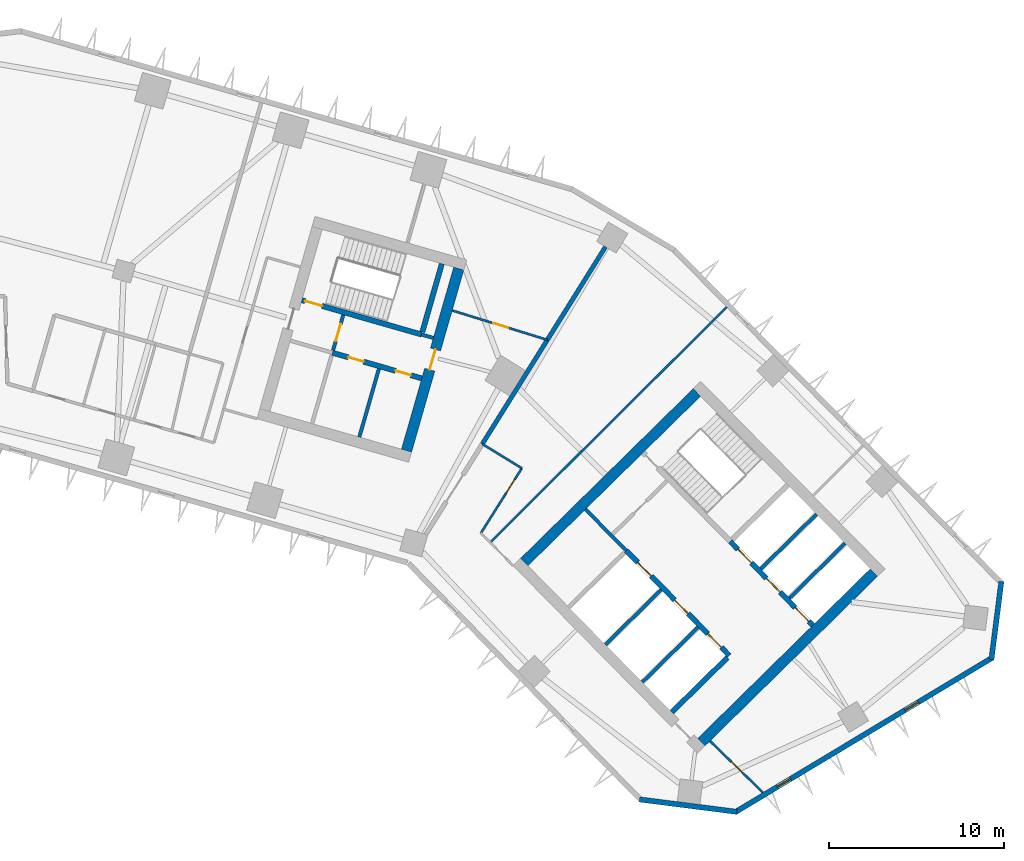
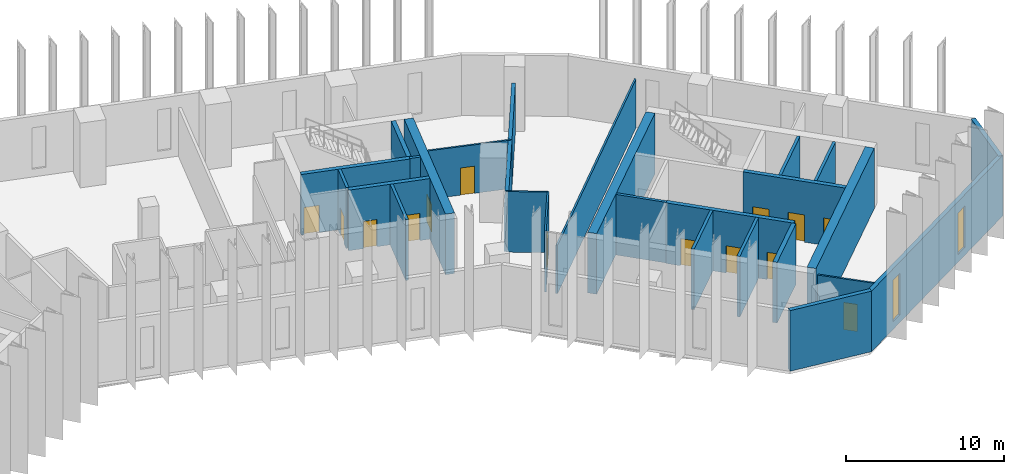
# One storey, part 6 of 11: 27 walls, 14 doors, 2 windows, 16 openings.
"""IFC4 building model written with IfcOpenShell, lengths in metres."""

from ifc_helpers import new_model, si_unit, direction, frame, frame_2d, origin, place, context, subcontext, project, spatial, rectangle, extrude, material, layer, layer_set, type_object, element, fill, save


model = new_model("IFC4")

# Units and contexts
model_context = context("Model", 3, precision=1e-05, world=origin(), true_north=direction((0.0, 1.0)))
body_context = subcontext(model_context, "Body", "Model", "MODEL_VIEW")
ifc_project = project(units=[si_unit("LENGTHUNIT", "METRE"), si_unit("AREAUNIT", "SQUARE_METRE"), si_unit("VOLUMEUNIT", "CUBIC_METRE"), si_unit("PLANEANGLEUNIT", "RADIAN"), si_unit("MASSUNIT", "GRAM", prefix="KILO")], contexts=[model_context])

# Site, building, storey
site_placement = place(None, origin())
site = spatial("IfcSite", under=ifc_project, at=site_placement, CompositionType="ELEMENT")
building_placement = place(site_placement, origin())
building = spatial("IfcBuilding", under=site, at=building_placement, Name="Binnacle Exchange Tower", CompositionType="ELEMENT")
storey_placement = place(building_placement, frame((0.0, 0.0, 66.5)))
storey = spatial("IfcBuildingStorey", under=building, at=storey_placement, Name="L13", CompositionType="ELEMENT", Elevation=66.5)

# Wall
ifc_material_1 = material(Name="Gypsum partition fire rated")
ifc_layer_1 = layer(ifc_material_1, 0.199951171875)
ifc_layer_set_1 = layer_set([ifc_layer_1], Name="Core partition 200")
wall_type_1 = type_object("IfcWallType", Name="Core partition 200", PredefinedType="PARTITIONING", material=ifc_layer_set_1)
wall_1_placement = place(storey_placement, frame((22.664794921875, 47.88330078125, 0.0), z_axis=(0.0, 0.0, 1.0), x_axis=(0.275596769212, 0.961273333033, 0.0)))
element("IfcWall", 1, at=wall_1_placement, inside=storey, type_object=wall_type_1, Name="Core wall CRWD10", PredefinedType="PARTITIONING", context=body_context, shape_type="SweptSolid", body=[
    extrude(rectangle(XDim=4.050048828125, YDim=0.199951171875, at=frame_2d((2.02490234375, 0.0))), origin(), (0.0, 0.0, 1.0), 4.679931640625),
])

# Wall, openings, doors
ifc_material_2 = material(Name="Concrete C70/85", Category="concrete")
ifc_layer_2 = layer(ifc_material_2, 0.300048828125)
ifc_layer_set_2 = layer_set([ifc_layer_2], Name="Core wall - front 300")
wall_type_2 = type_object("IfcWallType", Name="Core wall - front 300", PredefinedType="SOLIDWALL", material=ifc_layer_set_2)
wall_2_placement = place(storey_placement, frame((37.8740234375, 41.41552734375, 0.0), z_axis=(0.0, 0.0, 1.0), x_axis=(0.700918271237, -0.71324159795, 0.0)))
wall_2 = element("IfcWall", 2, at=wall_2_placement, inside=storey, type_object=wall_type_2, Name="Core wall CRWB3", PredefinedType="SOLIDWALL", context=body_context, shape_type="SweptSolid", body=[
    extrude(rectangle(XDim=8.39990234375, YDim=0.300048828125, at=frame_2d((4.199951171875, 0.0))), origin(), (0.0, 0.0, 1.0), 4.679931640625),
])
opening_1_placement = place(wall_2_placement, frame((0.949951171875, 0.0, 0.0)))
opening_1 = element("IfcOpeningElement", 3, at=opening_1_placement, cuts=wall_2, Name="Opening LD15", PredefinedType="OPENING", context=body_context, shape_type="SweptSolid", body=[
    extrude(rectangle(XDim=1.10009765625, YDim=2.10009765625, at=frame_2d((0.550048828125, 1.050048828125))), frame((0.0, 0.159912109375, 0.0), z_axis=(0.0, -1.0, 0.0), x_axis=(1.0, 0.0, 0.0)), (0.0, 0.0, 1.0), 0.320068359375),
])
opening_2_placement = place(wall_2_placement, frame((3.949951171875, 0.0, 0.0)))
opening_2 = element("IfcOpeningElement", 4, at=opening_2_placement, cuts=wall_2, Name="Opening LD16", PredefinedType="OPENING", context=body_context, shape_type="SweptSolid", body=[
    extrude(rectangle(XDim=1.10009765625, YDim=2.10009765625, at=frame_2d((0.550048828125, 1.050048828125))), frame((0.0, 0.159912109375, 0.0), z_axis=(0.0, -1.0, 0.0), x_axis=(1.0, 0.0, 0.0)), (0.0, 0.0, 1.0), 0.320068359375),
])
opening_3_placement = place(wall_2_placement, frame((6.64990234375, 0.0, 0.0)))
opening_3 = element("IfcOpeningElement", 5, at=opening_3_placement, cuts=wall_2, Name="Opening LD4", PredefinedType="OPENING", context=body_context, shape_type="SweptSolid", body=[
    extrude(rectangle(XDim=1.10009765625, YDim=2.10009765625, at=frame_2d((0.550048828125, 1.050048828125))), frame((0.0, 0.159912109375, 0.0), z_axis=(0.0, -1.0, 0.0), x_axis=(1.0, 0.0, 0.0)), (0.0, 0.0, 1.0), 0.320068359375),
])
ifc_material_3 = material(Name="Steel door leaf", Category="steel")
door_type_1 = type_object("IfcDoorType", Name="Fire door - lift landing 1100", OperationType="NOTDEFINED", PredefinedType="DOOR", material=ifc_material_3)
door_1_placement = place(opening_1_placement, origin())
door_1 = element("IfcDoor", 6, at=door_1_placement, inside=storey, type_object=door_type_1, Name="Landing door LD15 L13", OperationType="DOUBLE_DOOR_SLIDING", OverallHeight=2.10009765625, OverallWidth=1.10009765625, PredefinedType="DOOR", context=body_context, shape_type="SweptSolid", body=[
    extrude(rectangle(XDim=1.10009765625, YDim=2.10009765625, at=frame_2d((0.550048828125, 1.050048828125))), frame((0.0, 0.02490234375, 0.0), z_axis=(0.0, -1.0, 0.0), x_axis=(1.0, 0.0, 0.0)), (0.0, 0.0, 1.0), 0.050048828125),
])
fill(opening_1, door_1)
door_2_placement = place(opening_2_placement, origin())
door_2 = element("IfcDoor", 7, at=door_2_placement, inside=storey, type_object=door_type_1, Name="Landing door LD16 L13", OperationType="DOUBLE_DOOR_SLIDING", OverallHeight=2.10009765625, OverallWidth=1.10009765625, PredefinedType="DOOR", context=body_context, shape_type="SweptSolid", body=[
    extrude(rectangle(XDim=1.10009765625, YDim=2.10009765625, at=frame_2d((0.550048828125, 1.050048828125))), frame((0.0, 0.02490234375, 0.0), z_axis=(0.0, -1.0, 0.0), x_axis=(1.0, 0.0, 0.0)), (0.0, 0.0, 1.0), 0.050048828125),
])
fill(opening_2, door_2)
door_3_placement = place(opening_3_placement, origin())
door_3 = element("IfcDoor", 8, at=door_3_placement, inside=storey, type_object=door_type_1, Name="Landing door LD4 L13", OperationType="DOUBLE_DOOR_SLIDING", OverallHeight=2.10009765625, OverallWidth=1.10009765625, PredefinedType="DOOR", context=body_context, shape_type="SweptSolid", body=[
    extrude(rectangle(XDim=1.10009765625, YDim=2.10009765625, at=frame_2d((0.550048828125, 1.050048828125))), frame((0.0, 0.02490234375, 0.0), z_axis=(0.0, -1.0, 0.0), x_axis=(1.0, 0.0, 0.0)), (0.0, 0.0, 1.0), 0.050048828125),
])
fill(opening_3, door_3)

wall_3_placement = place(storey_placement, frame((43.818603515625, 41.92919921875, 0.0), z_axis=(0.0, 0.0, 1.0), x_axis=(0.700921619155, -0.713238307862, 0.0)))
wall_3 = element("IfcWall", 9, at=wall_3_placement, inside=storey, type_object=wall_type_2, Name="Core wall CRWB5", PredefinedType="SOLIDWALL", context=body_context, shape_type="SweptSolid", body=[
    extrude(rectangle(XDim=6.69970703125, YDim=0.300048828125, at=frame_2d((3.349853515625, 0.0))), origin(), (0.0, 0.0, 1.0), 4.679931640625),
])
opening_4_placement = place(wall_3_placement, frame((0.614990234375, 0.0, 0.0)))
opening_4 = element("IfcOpeningElement", 10, at=opening_4_placement, cuts=wall_3, Name="Opening LD1", PredefinedType="OPENING", context=body_context, shape_type="SweptSolid", body=[
    extrude(rectangle(XDim=1.10009765625, YDim=2.10009765625, at=frame_2d((0.550048828125, 1.050048828125))), frame((0.0, 0.159912109375, 0.0), z_axis=(0.0, -1.0, 0.0), x_axis=(1.0, 0.0, 0.0)), (0.0, 0.0, 1.0), 0.320068359375),
])
opening_5_placement = place(wall_3_placement, frame((2.945068359375, 0.0, 0.0)))
opening_5 = element("IfcOpeningElement", 11, at=opening_5_placement, cuts=wall_3, Name="Opening LD2", PredefinedType="OPENING", context=body_context, shape_type="SweptSolid", body=[
    extrude(rectangle(XDim=1.10009765625, YDim=2.10009765625, at=frame_2d((0.550048828125, 1.050048828125))), frame((0.0, 0.159912109375, 0.0), z_axis=(0.0, -1.0, 0.0), x_axis=(1.0, 0.0, 0.0)), (0.0, 0.0, 1.0), 0.320068359375),
])
opening_6_placement = place(wall_3_placement, frame((5.280029296875, 0.0, 0.0)))
opening_6 = element("IfcOpeningElement", 12, at=opening_6_placement, cuts=wall_3, Name="Opening LD3", PredefinedType="OPENING", context=body_context, shape_type="SweptSolid", body=[
    extrude(rectangle(XDim=1.10009765625, YDim=2.10009765625, at=frame_2d((0.550048828125, 1.050048828125))), frame((0.0, 0.159912109375, 0.0), z_axis=(0.0, -1.0, 0.0), x_axis=(1.0, 0.0, 0.0)), (0.0, 0.0, 1.0), 0.320068359375),
])
door_4_placement = place(opening_4_placement, origin())
door_4 = element("IfcDoor", 13, at=door_4_placement, inside=storey, type_object=door_type_1, Name="Landing door LD1 L13", OperationType="DOUBLE_DOOR_SLIDING", OverallHeight=2.10009765625, OverallWidth=1.10009765625, PredefinedType="DOOR", context=body_context, shape_type="SweptSolid", body=[
    extrude(rectangle(XDim=1.10009765625, YDim=2.10009765625, at=frame_2d((0.550048828125, 1.050048828125))), frame((0.0, 0.02490234375, 0.0), z_axis=(0.0, -1.0, 0.0), x_axis=(1.0, 0.0, 0.0)), (0.0, 0.0, 1.0), 0.050048828125),
])
fill(opening_4, door_4)
door_5_placement = place(opening_5_placement, origin())
door_5 = element("IfcDoor", 14, at=door_5_placement, inside=storey, type_object=door_type_1, Name="Landing door LD2 L13", OperationType="DOUBLE_DOOR_SLIDING", OverallHeight=2.10009765625, OverallWidth=1.10009765625, PredefinedType="DOOR", context=body_context, shape_type="SweptSolid", body=[
    extrude(rectangle(XDim=1.10009765625, YDim=2.10009765625, at=frame_2d((0.550048828125, 1.050048828125))), frame((0.0, 0.02490234375, 0.0), z_axis=(0.0, -1.0, 0.0), x_axis=(1.0, 0.0, 0.0)), (0.0, 0.0, 1.0), 0.050048828125),
])
fill(opening_5, door_5)
door_6_placement = place(opening_6_placement, origin())
door_6 = element("IfcDoor", 15, at=door_6_placement, inside=storey, type_object=door_type_1, Name="Landing door LD3 L13", OperationType="DOUBLE_DOOR_SLIDING", OverallHeight=2.10009765625, OverallWidth=1.10009765625, PredefinedType="DOOR", context=body_context, shape_type="SweptSolid", body=[
    extrude(rectangle(XDim=1.10009765625, YDim=2.10009765625, at=frame_2d((0.550048828125, 1.050048828125))), frame((0.0, 0.02490234375, 0.0), z_axis=(0.0, -1.0, 0.0), x_axis=(1.0, 0.0, 0.0)), (0.0, 0.0, 1.0), 0.050048828125),
])
fill(opening_6, door_6)

# Wall
wall_4_placement = place(storey_placement, frame((40.480712890625, 32.199951171875, 0.0), z_axis=(0.0, 0.0, 1.0), x_axis=(0.713251741427, 0.700907949271, 0.0)))
element("IfcWall", 16, at=wall_4_placement, inside=storey, type_object=wall_type_2, Name="Core wall CRWB14", PredefinedType="SOLIDWALL", context=body_context, shape_type="SweptSolid", body=[
    extrude(rectangle(XDim=4.4501953125, YDim=0.300048828125, at=frame_2d((2.22509765625, 0.0))), origin(), (0.0, 0.0, 1.0), 4.679931640625),
])

# Wall, openings, doors
wall_5_placement = place(storey_placement, frame((21.130859375, 52.6923828125, 0.0), z_axis=(0.0, 0.0, 1.0), x_axis=(0.961271492568, -0.275603188616, 0.0)))
wall_5 = element("IfcWall", 17, at=wall_5_placement, inside=storey, type_object=wall_type_2, Name="Core wall CRWD3", PredefinedType="SOLIDWALL", context=body_context, shape_type="SweptSolid", body=[
    extrude(rectangle(XDim=5.300048828125, YDim=0.300048828125, at=frame_2d((2.64990234375, 0.0))), origin(), (0.0, 0.0, 1.0), 4.679931640625),
])
opening_7_placement = place(wall_5_placement, frame((0.949951171875, 0.0, 0.0)))
opening_7 = element("IfcOpeningElement", 18, at=opening_7_placement, cuts=wall_5, Name="Opening DD10", PredefinedType="OPENING", context=body_context, shape_type="SweptSolid", body=[
    extrude(rectangle(XDim=0.89990234375, YDim=2.10009765625, at=frame_2d((0.449951171875, 1.050048828125))), frame((0.0, 0.159912109375, 0.0), z_axis=(0.0, -1.0, 0.0), x_axis=(1.0, 0.0, 0.0)), (0.0, 0.0, 1.0), 0.320068359375),
])
opening_8_placement = place(wall_5_placement, frame((3.75, 0.0, 0.0)))
opening_8 = element("IfcOpeningElement", 19, at=opening_8_placement, cuts=wall_5, Name="Opening DD11", PredefinedType="OPENING", context=body_context, shape_type="SweptSolid", body=[
    extrude(rectangle(XDim=0.89990234375, YDim=2.10009765625, at=frame_2d((0.449951171875, 1.050048828125))), frame((0.0, 0.159912109375, 0.0), z_axis=(0.0, -1.0, 0.0), x_axis=(1.0, 0.0, 0.0)), (0.0, 0.0, 1.0), 0.320068359375),
])
door_type_2 = type_object("IfcDoorType", Name="Fire door 900", OperationType="NOTDEFINED", PredefinedType="DOOR", material=ifc_material_3)
door_7_placement = place(opening_7_placement, frame((0.89990234375, 0.0, 0.0), z_axis=(0.0, 0.0, 1.0), x_axis=(-1.0, 0.0, 0.0)))
door_7 = element("IfcDoor", 20, at=door_7_placement, inside=storey, type_object=door_type_2, Name="Core room door COMMS RISER ROOM", OperationType="SINGLE_SWING_RIGHT", OverallHeight=2.10009765625, OverallWidth=0.89990234375, PredefinedType="DOOR", context=body_context, shape_type="SweptSolid", body=[
    extrude(rectangle(XDim=0.89990234375, YDim=2.10009765625, at=frame_2d((0.449951171875, 1.050048828125))), frame((0.0, 0.02490234375, 0.0), z_axis=(0.0, -1.0, 0.0), x_axis=(1.0, 0.0, 0.0)), (0.0, 0.0, 1.0), 0.050048828125),
])
fill(opening_7, door_7)
door_8_placement = place(opening_8_placement, frame((0.89990234375, 0.0, 0.0), z_axis=(0.0, 0.0, 1.0), x_axis=(-1.0, 0.0, 0.0)))
door_8 = element("IfcDoor", 21, at=door_8_placement, inside=storey, type_object=door_type_2, Name="Core room door CLEANERS STORE", OperationType="SINGLE_SWING_LEFT", OverallHeight=2.10009765625, OverallWidth=0.89990234375, PredefinedType="DOOR", context=body_context, shape_type="SweptSolid", body=[
    extrude(rectangle(XDim=0.89990234375, YDim=2.10009765625, at=frame_2d((0.449951171875, 1.050048828125))), frame((0.0, 0.02490234375, 0.0), z_axis=(0.0, -1.0, 0.0), x_axis=(1.0, 0.0, 0.0)), (0.0, 0.0, 1.0), 0.050048828125),
])
fill(opening_8, door_8)

# Walls
ifc_layer_3 = layer(ifc_material_2, 0.60009765625)
ifc_layer_set_3 = layer_set([ifc_layer_3], Name="Core wall - outer 600")
wall_type_3 = type_object("IfcWallType", Name="Core wall - outer 600", PredefinedType="SOLIDWALL", material=ifc_layer_set_3)
for number, where, z_axis, x_axis, name in (
    (22, (32.06982421875, 40.759033203125, 0.0), (0.0, 0.0, 1.0), (0.713245344712, 0.70091445858, 0.0), "Core wall CRWB7"),
    (23, (42.1630859375, 30.48828125, 0.0), (0.0, 0.0, 1.0), (0.713245344712, 0.70091445858, 0.0), "Core wall CRWB16"),
):
    element("IfcWall", number, at=place(storey_placement, frame(where, z_axis=z_axis, x_axis=x_axis)), inside=storey, type_object=wall_type_3, Name=name, PredefinedType="SOLIDWALL", context=body_context, shape_type="SweptSolid", body=[
        extrude(rectangle(XDim=13.800048828125, YDim=0.60009765625, at=frame_2d((6.89990234375, 0.0))), origin(), (0.0, 0.0, 1.0), 4.679931640625),
    ])

# Wall, opening, door
wall_6_placement = place(storey_placement, frame((25.356201171875, 47.111572265625, 0.0), z_axis=(0.0, 0.0, 1.0), x_axis=(0.275631631629, 0.961263337304, 0.0)))
wall_6 = element("IfcWall", 24, at=wall_6_placement, inside=storey, type_object=wall_type_3, Name="Core wall CRWD12", PredefinedType="SOLIDWALL", context=body_context, shape_type="SweptSolid", body=[
    extrude(rectangle(XDim=10.800048828125, YDim=0.60009765625, at=frame_2d((5.39990234375, 0.0))), origin(), (0.0, 0.0, 1.0), 4.679931640625),
])
opening_9_placement = place(wall_6_placement, frame((4.800048828125, 0.0, 0.0)))
opening_9 = element("IfcOpeningElement", 25, at=opening_9_placement, cuts=wall_6, Name="Opening DD6", PredefinedType="OPENING", context=body_context, shape_type="SweptSolid", body=[
    extrude(rectangle(XDim=1.199951171875, YDim=2.10009765625, at=frame_2d((0.60009765625, 1.050048828125))), frame((0.0, 0.31005859375, 0.0), z_axis=(0.0, -1.0, 0.0), x_axis=(1.0, 0.0, 0.0)), (0.0, 0.0, 1.0), 0.6201171875),
])
door_type_3 = type_object("IfcDoorType", Name="Fire door 1200", OperationType="NOTDEFINED", PredefinedType="DOOR", material=ifc_material_3)
door_9_placement = place(opening_9_placement, frame((1.199951171875, 0.0, 0.0), z_axis=(0.0, 0.0, 1.0), x_axis=(-1.0, 0.0, 0.0)))
door_9 = element("IfcDoor", 26, at=door_9_placement, inside=storey, type_object=door_type_3, Name="Core passage exit door", OperationType="SINGLE_SWING_LEFT", OverallHeight=2.10009765625, OverallWidth=1.199951171875, PredefinedType="DOOR", context=body_context, shape_type="SweptSolid", body=[
    extrude(rectangle(XDim=1.199951171875, YDim=2.10009765625, at=frame_2d((0.60009765625, 1.050048828125))), frame((0.0, 0.02490234375, 0.0), z_axis=(0.0, -1.0, 0.0), x_axis=(1.0, 0.0, 0.0)), (0.0, 0.0, 1.0), 0.050048828125),
])
fill(opening_9, door_9)

ifc_layer_4 = layer(ifc_material_2, 0.300048828125)
ifc_layer_set_4 = layer_set([ifc_layer_4], Name="Core wall - stair 300")
wall_type_4 = type_object("IfcWallType", Name="Core wall - stair 300", PredefinedType="SOLIDWALL", material=ifc_layer_set_4)
wall_7_placement = place(storey_placement, frame((19.38916015625, 55.688720703125, 0.0), z_axis=(0.0, 0.0, 1.0), x_axis=(0.961261397636, -0.275638396117, 0.0)))
wall_7 = element("IfcWall", 27, at=wall_7_placement, inside=storey, type_object=wall_type_4, Name="Core wall CRWD4", PredefinedType="SOLIDWALL", context=body_context, shape_type="SweptSolid", body=[
    extrude(rectangle(XDim=7.10009765625, YDim=0.300048828125, at=frame_2d((3.550048828125, 0.0))), origin(), (0.0, 0.0, 1.0), 4.679931640625),
])
opening_10_placement = place(wall_7_placement, frame((0.199951171875, 0.0, 0.0)))
opening_10 = element("IfcOpeningElement", 28, at=opening_10_placement, cuts=wall_7, Name="Opening DD1", PredefinedType="OPENING", context=body_context, shape_type="SweptSolid", body=[
    extrude(rectangle(XDim=1.0, YDim=2.10009765625, at=frame_2d((0.5, 1.050048828125))), frame((0.0, 0.159912109375, 0.0), z_axis=(0.0, -1.0, 0.0), x_axis=(1.0, 0.0, 0.0)), (0.0, 0.0, 1.0), 0.320068359375),
])
door_type_4 = type_object("IfcDoorType", Name="Fire door 1000", OperationType="NOTDEFINED", PredefinedType="DOOR", material=ifc_material_3)
door_10_placement = place(opening_10_placement, origin())
door_10 = element("IfcDoor", 29, at=door_10_placement, inside=storey, type_object=door_type_4, Name="Stair door ST-D1", OperationType="SINGLE_SWING_LEFT", OverallHeight=2.10009765625, OverallWidth=1.0, PredefinedType="DOOR", context=body_context, shape_type="SweptSolid", body=[
    extrude(rectangle(XDim=1.0, YDim=2.10009765625, at=frame_2d((0.5, 1.050048828125))), frame((0.0, 0.02490234375, 0.0), z_axis=(0.0, -1.0, 0.0), x_axis=(1.0, 0.0, 0.0)), (0.0, 0.0, 1.0), 0.050048828125),
])
fill(opening_10, door_10)

# Walls
wall_8_placement = place(storey_placement, frame((26.255615234375, 53.875732421875, 0.0), z_axis=(0.0, 0.0, 1.0), x_axis=(0.275612739511, 0.961268754209, 0.0)))
element("IfcWall", 30, at=wall_8_placement, inside=storey, type_object=wall_type_4, Name="Core wall CRWD11", PredefinedType="SOLIDWALL", context=body_context, shape_type="SweptSolid", body=[
    extrude(rectangle(XDim=4.0498046875, YDim=0.300048828125, at=frame_2d((2.02490234375, 0.0))), origin(), (0.0, 0.0, 1.0), 4.679931640625),
])
ifc_material_4 = material(Name="Bronze aluminium cladding", Category="aluminium")
ifc_layer_5 = layer(ifc_material_4, 0.300048828125)
ifc_layer_set_5 = layer_set([ifc_layer_5], Name="External wall - spandrel 300")
wall_type_5 = type_object("IfcWallType", Name="External wall - spandrel 300", PredefinedType="STANDARD", material=ifc_layer_set_5)
wall_9_placement = place(storey_placement, frame((44.19580078125, 26.517822265625, 0.0), z_axis=(0.0, 0.0, 1.0), x_axis=(-0.992001881269, 0.126223086474, 0.0)))
element("IfcWall", 31, at=wall_9_placement, inside=storey, type_object=wall_type_5, Name="External wall EW-F10 L13", PredefinedType="STANDARD", context=body_context, shape_type="SweptSolid", body=[
    extrude(rectangle(XDim=5.6015625, YDim=0.300048828125, at=frame_2d((2.80078125, 0.0))), origin(), (0.0, 0.0, 1.0), 4.679931640625),
])

# Wall, openings, windows
wall_10_placement = place(storey_placement, frame((58.7783203125, 35.317626953125, 0.0), z_axis=(0.0, 0.0, 1.0), x_axis=(-0.857168206138, -0.515036568009, 0.0)))
wall_10 = element("IfcWall", 32, at=wall_10_placement, inside=storey, type_object=wall_type_5, Name="External wall EW-F11 L13", PredefinedType="STANDARD", context=body_context, shape_type="SweptSolid", body=[
    extrude(rectangle(XDim=17.124755859375, YDim=0.300048828125, at=frame_2d((8.5625, 0.0))), origin(), (0.0, 0.0, 1.0), 4.679931640625),
])
opening_11_placement = place(wall_10_placement, frame((13.435302734375, 0.0, 0.60009765625)))
opening_11 = element("IfcOpeningElement", 33, at=opening_11_placement, cuts=wall_10, Name="Opening WS1", PredefinedType="OPENING", context=body_context, shape_type="SweptSolid", body=[
    extrude(rectangle(XDim=0.89990234375, YDim=3.199951171875, at=frame_2d((0.449951171875, 1.60009765625))), frame((0.0, 0.159912109375, 0.0), z_axis=(0.0, -1.0, 0.0), x_axis=(1.0, 0.0, 0.0)), (0.0, 0.0, 1.0), 0.320068359375),
])
opening_12_placement = place(wall_10_placement, frame((4.935302734375, 0.0, 0.60009765625)))
opening_12 = element("IfcOpeningElement", 34, at=opening_12_placement, cuts=wall_10, Name="Opening WS1", PredefinedType="OPENING", context=body_context, shape_type="SweptSolid", body=[
    extrude(rectangle(XDim=0.89990234375, YDim=3.199951171875, at=frame_2d((0.449951171875, 1.60009765625))), frame((0.0, 0.159912109375, 0.0), z_axis=(0.0, -1.0, 0.0), x_axis=(1.0, 0.0, 0.0)), (0.0, 0.0, 1.0), 0.320068359375),
])
ifc_material_5 = material(Name="Bronze anodised aluminium frame", Category="aluminium")
window_type = type_object("IfcWindowType", Name="WS1 WINDOW 900x3200", PartitioningType="SINGLE_PANEL", PredefinedType="WINDOW", material=ifc_material_5)
window_1_placement = place(opening_11_placement, origin())
window_1 = element("IfcWindow", 35, at=window_1_placement, inside=storey, type_object=window_type, Name="Window WS1 L13", OverallHeight=3.199951171875, OverallWidth=0.89990234375, PartitioningType="SINGLE_PANEL", PredefinedType="WINDOW", context=body_context, shape_type="SweptSolid", body=[
    extrude(rectangle(XDim=0.89990234375, YDim=3.199951171875, at=frame_2d((0.449951171875, 1.60009765625))), frame((0.0, 0.030029296875, 0.0), z_axis=(0.0, -1.0, 0.0), x_axis=(1.0, 0.0, 0.0)), (0.0, 0.0, 1.0), 0.06005859375),
])
fill(opening_11, window_1)
window_2_placement = place(opening_12_placement, origin())
window_2 = element("IfcWindow", 36, at=window_2_placement, inside=storey, type_object=window_type, Name="Window WS1 L13", OverallHeight=3.199951171875, OverallWidth=0.89990234375, PartitioningType="SINGLE_PANEL", PredefinedType="WINDOW", context=body_context, shape_type="SweptSolid", body=[
    extrude(rectangle(XDim=0.89990234375, YDim=3.199951171875, at=frame_2d((0.449951171875, 1.60009765625))), frame((0.0, 0.030029296875, 0.0), z_axis=(0.0, -1.0, 0.0), x_axis=(1.0, 0.0, 0.0)), (0.0, 0.0, 1.0), 0.06005859375),
])
fill(opening_12, window_2)

# Walls
wall_11_placement = place(storey_placement, frame((59.27197265625, 39.6513671875, 0.0), z_axis=(0.0, 0.0, 1.0), x_axis=(-0.126181137886, -0.992007217938, 0.0)))
element("IfcWall", 37, at=wall_11_placement, inside=storey, type_object=wall_type_5, Name="External wall EW-F12 L13", PredefinedType="STANDARD", context=body_context, shape_type="SweptSolid", body=[
    extrude(rectangle(XDim=4.479248046875, YDim=0.300048828125, at=frame_2d((2.23974609375, 0.0))), origin(), (0.0, 0.0, 1.0), 4.679931640625),
])
ifc_material_6 = material(Name="Concrete fire wall C30/37", Category="concrete")
ifc_layer_6 = layer(ifc_material_6, 0.25)
ifc_layer_set_6 = layer_set([ifc_layer_6], Name="Fire wall - compartment 250")
wall_type_6 = type_object("IfcWallType", Name="Fire wall - compartment 250", PredefinedType="PARTITIONING", material=ifc_layer_set_6)
wall_12_placement = place(storey_placement, frame((29.675048828125, 47.490966796875, 0.0), z_axis=(0.0, 0.0, 1.0), x_axis=(0.529992669945, 0.848002222759, 0.0)))
element("IfcWall", 38, at=wall_12_placement, inside=storey, type_object=wall_type_6, Name="Fire Wall W40", PredefinedType="PARTITIONING", context=body_context, shape_type="SweptSolid", body=[
    extrude(rectangle(XDim=7.0, YDim=0.25, at=frame_2d((3.5, 0.0))), origin(), (0.0, 0.0, 1.0), 3.741943359375),
])
wall_13_placement = place(storey_placement, frame((33.385009765625, 53.427001953125, 0.0), z_axis=(0.0, 0.0, 1.0), x_axis=(0.529897235032, 0.848061861131, 0.0)))
element("IfcWall", 39, at=wall_13_placement, inside=storey, type_object=wall_type_6, Name="Fire Wall W43", PredefinedType="PARTITIONING", context=body_context, shape_type="SweptSolid", body=[
    extrude(rectangle(XDim=6.257568359375, YDim=0.25, at=frame_2d((3.12890625, 0.0))), origin(), (0.0, 0.0, 1.0), 3.741943359375),
])

# Wall, opening, door
ifc_material_7 = material(Name="Masonry block wall", Category="masonry")
ifc_layer_7 = layer(ifc_material_7, 0.199951171875)
ifc_layer_set_7 = layer_set([ifc_layer_7], Name="Fire wall - vestibule 200")
wall_type_7 = type_object("IfcWallType", Name="Fire wall - vestibule 200", PredefinedType="PARTITIONING", material=ifc_layer_set_7)
wall_14_placement = place(storey_placement, frame((21.172119140625, 52.836669921875, 0.0), z_axis=(0.0, 0.0, 1.0), x_axis=(0.275657676022, 0.961255868981, 0.0)))
wall_14 = element("IfcWall", 40, at=wall_14_placement, inside=storey, type_object=wall_type_7, Name="Core wall CRWD9", PredefinedType="PARTITIONING", context=body_context, shape_type="SweptSolid", body=[
    extrude(rectangle(XDim=2.099853515625, YDim=0.199951171875, at=frame_2d((1.0498046875, 0.0))), origin(), (0.0, 0.0, 1.0), 4.679931640625),
])
opening_13_placement = place(wall_14_placement, frame((0.550048828125, 0.0, 0.0)))
opening_13 = element("IfcOpeningElement", 41, at=opening_13_placement, cuts=wall_14, Name="Opening DD3", PredefinedType="OPENING", context=body_context, shape_type="SweptSolid", body=[
    extrude(rectangle(XDim=1.0, YDim=2.10009765625, at=frame_2d((0.5, 1.050048828125))), frame((0.0, 0.10986328125, 0.0), z_axis=(0.0, -1.0, 0.0), x_axis=(1.0, 0.0, 0.0)), (0.0, 0.0, 1.0), 0.219970703125),
])
door_11_placement = place(opening_13_placement, origin())
door_11 = element("IfcDoor", 42, at=door_11_placement, inside=storey, type_object=door_type_4, Name="Vestibule door VEST-W", OperationType="SINGLE_SWING_RIGHT", OverallHeight=2.10009765625, OverallWidth=1.0, PredefinedType="DOOR", context=body_context, shape_type="SweptSolid", body=[
    extrude(rectangle(XDim=1.0, YDim=2.10009765625, at=frame_2d((0.5, 1.050048828125))), frame((0.0, 0.02490234375, 0.0), z_axis=(0.0, -1.0, 0.0), x_axis=(1.0, 0.0, 0.0)), (0.0, 0.0, 1.0), 0.050048828125),
])
fill(opening_13, door_11)

ifc_material_8 = material(Name="Gypsum partition")
ifc_layer_8 = layer(ifc_material_8, 0.125)
ifc_layer_set_8 = layer_set([ifc_layer_8], Name="Partition 125")
wall_type_8 = type_object("IfcWallType", Name="Partition 125", PredefinedType="PARTITIONING", material=ifc_layer_set_8)
wall_15_placement = place(storey_placement, frame((27.9599609375, 55.10302734375, 0.0), z_axis=(0.0, 0.0, 1.0), x_axis=(0.955442775069, -0.29517639399, 0.0)))
wall_15 = element("IfcWall", 43, at=wall_15_placement, inside=storey, type_object=wall_type_8, Name="Partition W36", PredefinedType="PARTITIONING", context=body_context, shape_type="SweptSolid", body=[
    extrude(rectangle(XDim=5.677978515625, YDim=0.125, at=frame_2d((2.8388671875, 0.0))), origin(), (0.0, 0.0, 1.0), 3.748046875),
])
opening_14_placement = place(wall_15_placement, frame((2.449951171875, 0.0, 0.0)))
opening_14 = element("IfcOpeningElement", 44, at=opening_14_placement, cuts=wall_15, Name="Opening DL11-10", PredefinedType="OPENING", context=body_context, shape_type="SweptSolid", body=[
    extrude(rectangle(XDim=0.89990234375, YDim=2.10009765625, at=frame_2d((0.449951171875, 1.050048828125))), frame((0.0, 0.072509765625, 0.0), z_axis=(0.0, -1.0, 0.0), x_axis=(1.0, 0.0, 0.0)), (0.0, 0.0, 1.0), 0.14501953125),
])
ifc_material_9 = material(Name="Timber door leaf", Category="wood")
door_type_5 = type_object("IfcDoorType", Name="Door 900", OperationType="NOTDEFINED", PredefinedType="DOOR", material=ifc_material_9)
door_12_placement = place(opening_14_placement, origin())
door_12 = element("IfcDoor", 45, at=door_12_placement, inside=storey, type_object=door_type_5, Name="Door DL11-10", OperationType="SINGLE_SWING_RIGHT", OverallHeight=2.10009765625, OverallWidth=0.89990234375, PredefinedType="DOOR", context=body_context, shape_type="SweptSolid", body=[
    extrude(rectangle(XDim=0.89990234375, YDim=2.10009765625, at=frame_2d((0.449951171875, 1.050048828125))), frame((0.0, 0.02490234375, 0.0), z_axis=(0.0, -1.0, 0.0), x_axis=(1.0, 0.0, 0.0)), (0.0, 0.0, 1.0), 0.050048828125),
])
fill(opening_14, door_12)

wall_16_placement = place(storey_placement, frame((29.60009765625, 42.416015625, 0.0), z_axis=(0.0, 0.0, 1.0), x_axis=(0.533582711531, 0.84574788794, 0.0)))
wall_16 = element("IfcWall", 46, at=wall_16_placement, inside=storey, type_object=wall_type_8, Name="Partition W38", PredefinedType="PARTITIONING", context=body_context, shape_type="SweptSolid", body=[
    extrude(rectangle(XDim=4.366455078125, YDim=0.125, at=frame_2d((2.18310546875, 0.0))), origin(), (0.0, 0.0, 1.0), 4.679931640625),
])
opening_15_placement = place(wall_16_placement, frame((2.699951171875, 0.0, 0.0)))
opening_15 = element("IfcOpeningElement", 47, at=opening_15_placement, cuts=wall_16, Name="Opening DL11-11", PredefinedType="OPENING", context=body_context, shape_type="SweptSolid", body=[
    extrude(rectangle(XDim=0.89990234375, YDim=2.10009765625, at=frame_2d((0.449951171875, 1.050048828125))), frame((0.0, 0.072509765625, 0.0), z_axis=(0.0, -1.0, 0.0), x_axis=(1.0, 0.0, 0.0)), (0.0, 0.0, 1.0), 0.14501953125),
])
door_13_placement = place(opening_15_placement, frame((0.89990234375, 0.0, 0.0), z_axis=(0.0, 0.0, 1.0), x_axis=(-1.0, 0.0, 0.0)))
door_13 = element("IfcDoor", 48, at=door_13_placement, inside=storey, type_object=door_type_5, Name="Door DL11-11", OperationType="SINGLE_SWING_LEFT", OverallHeight=2.10009765625, OverallWidth=0.89990234375, PredefinedType="DOOR", context=body_context, shape_type="SweptSolid", body=[
    extrude(rectangle(XDim=0.89990234375, YDim=2.10009765625, at=frame_2d((0.449951171875, 1.050048828125))), frame((0.0, 0.02490234375, 0.0), z_axis=(0.0, -1.0, 0.0), x_axis=(1.0, 0.0, 0.0)), (0.0, 0.0, 1.0), 0.050048828125),
])
fill(opening_15, door_13)

# Walls
wall_17_placement = place(storey_placement, frame((29.675048828125, 47.490966796875, 0.0), z_axis=(0.0, 0.0, 1.0), x_axis=(0.852591965232, -0.522577210392, 0.0)))
element("IfcWall", 49, at=wall_17_placement, inside=storey, type_object=wall_type_8, Name="Partition W39", PredefinedType="PARTITIONING", context=body_context, shape_type="SweptSolid", body=[
    extrude(rectangle(XDim=2.644775390625, YDim=0.125, at=frame_2d((1.322265625, 0.0))), origin(), (0.0, 0.0, 1.0), 4.679931640625),
])
wall_18_placement = place(storey_placement, frame((30.1259765625, 41.882080078125, 0.0), z_axis=(0.0, 0.0, 1.0), x_axis=(0.709029789155, 0.705178529233, 0.0)))
element("IfcWall", 50, at=wall_18_placement, inside=storey, type_object=wall_type_8, Name="Partition W42", PredefinedType="PARTITIONING", context=body_context, shape_type="SweptSolid", body=[
    extrude(rectangle(XDim=19.017822265625, YDim=0.125, at=frame_2d((9.5087890625, 0.0))), origin(), (0.0, 0.0, 1.0), 3.741943359375),
])

# Wall, opening, door
wall_19_placement = place(storey_placement, frame((42.658935546875, 30.554931640625, 0.0), z_axis=(0.0, 0.0, 1.0), x_axis=(0.716925671772, -0.697149611743, 0.0)))
wall_19 = element("IfcWall", 51, at=wall_19_placement, inside=storey, type_object=wall_type_8, Name="Partition W44", PredefinedType="PARTITIONING", context=body_context, shape_type="SweptSolid", body=[
    extrude(rectangle(XDim=4.209716796875, YDim=0.125, at=frame_2d((2.10498046875, 0.0))), origin(), (0.0, 0.0, 1.0), 3.951904296875),
])
opening_16_placement = place(wall_19_placement, frame((1.699951171875, 0.0, 0.0)))
opening_16 = element("IfcOpeningElement", 52, at=opening_16_placement, cuts=wall_19, Name="Opening DL11-13", PredefinedType="OPENING", context=body_context, shape_type="SweptSolid", body=[
    extrude(rectangle(XDim=0.89990234375, YDim=2.10009765625, at=frame_2d((0.449951171875, 1.050048828125))), frame((0.0, 0.072509765625, 0.0), z_axis=(0.0, -1.0, 0.0), x_axis=(1.0, 0.0, 0.0)), (0.0, 0.0, 1.0), 0.14501953125),
])
door_14_placement = place(opening_16_placement, origin())
door_14 = element("IfcDoor", 53, at=door_14_placement, inside=storey, type_object=door_type_5, Name="Door DL11-13", OperationType="SINGLE_SWING_RIGHT", OverallHeight=2.10009765625, OverallWidth=0.89990234375, PredefinedType="DOOR", context=body_context, shape_type="SweptSolid", body=[
    extrude(rectangle(XDim=0.89990234375, YDim=2.10009765625, at=frame_2d((0.449951171875, 1.050048828125))), frame((0.0, 0.02490234375, 0.0), z_axis=(0.0, -1.0, 0.0), x_axis=(1.0, 0.0, 0.0)), (0.0, 0.0, 1.0), 0.050048828125),
])
fill(opening_16, door_14)

# Walls
ifc_layer_9 = layer(ifc_material_7, 0.199951171875)
ifc_layer_set_9 = layer_set([ifc_layer_9], Name="Riser wall 200")
wall_type_9 = type_object("IfcWallType", Name="Riser wall 200", PredefinedType="SOLIDWALL", material=ifc_layer_set_9)
wall_20_placement = place(storey_placement, frame((35.56103515625, 43.769287109375, 0.0), z_axis=(0.0, 0.0, 1.0), x_axis=(0.70090232736, -0.713257266, 0.0)))
element("IfcWall", 54, at=wall_20_placement, inside=storey, type_object=wall_type_9, Name="Core wall CRWB2", PredefinedType="SOLIDWALL", context=body_context, shape_type="SweptSolid", body=[
    extrude(rectangle(XDim=3.300048828125, YDim=0.199951171875, at=frame_2d((1.64990234375, 0.0))), origin(), (0.0, 0.0, 1.0), 4.679931640625),
])
wall_21_placement = place(storey_placement, frame((26.214111328125, 53.731689453125, 0.0), z_axis=(0.0, 0.0, 1.0), x_axis=(0.96122076476, -0.27578005982, 0.0)))
element("IfcWall", 55, at=wall_21_placement, inside=storey, type_object=wall_type_9, Name="Core wall CRWD5", PredefinedType="SOLIDWALL", context=body_context, shape_type="SweptSolid", body=[
    extrude(rectangle(XDim=0.7001953125, YDim=0.199951171875, at=frame_2d((0.35009765625, 0.0))), origin(), (0.0, 0.0, 1.0), 4.679931640625),
])
ifc_layer_10 = layer(ifc_material_7, 0.199951171875)
ifc_layer_set_10 = layer_set([ifc_layer_10], Name="Shaft wall 200")
wall_type_10 = type_object("IfcWallType", Name="Shaft wall 200", PredefinedType="SOLIDWALL", material=ifc_layer_set_10)
for number, where, z_axis, x_axis, name in (
    (56, (36.69580078125, 36.051513671875, 0.0), (0.0, 0.0, 1.0), (0.713251741427, 0.700907949271, 0.0), "Core wall CRWB10"),
    (57, (38.798583984375, 33.911865234375, 0.0), (0.0, 0.0, 1.0), (0.713251741427, 0.700907949271, 0.0), "Core wall CRWB12"),
    (58, (45.55859375, 40.37255859375, 0.0), (0.0, 0.0, 1.0), (0.713251741427, 0.700907949271, 0.0), "Core wall CRWB13"),
    (59, (47.191650390625, 38.710693359375, 0.0), (0.0, 0.0, 1.0), (0.713251741427, 0.700907949271, 0.0), "Core wall CRWB15"),
):
    element("IfcWall", number, at=place(storey_placement, frame(where, z_axis=z_axis, x_axis=x_axis)), inside=storey, type_object=wall_type_10, Name=name, PredefinedType="SOLIDWALL", context=body_context, shape_type="SweptSolid", body=[
        extrude(rectangle(XDim=4.4501953125, YDim=0.199951171875, at=frame_2d((2.22509765625, 0.0))), origin(), (0.0, 0.0, 1.0), 4.679931640625),
    ])

save(model, "model.ifc")
